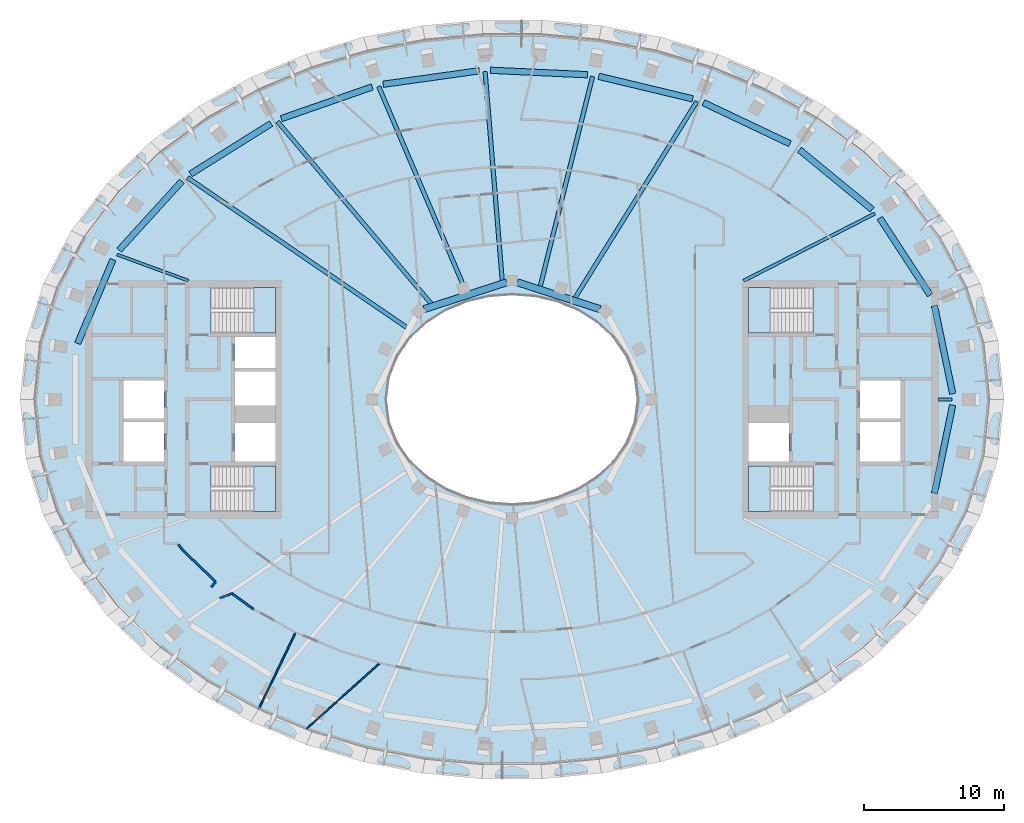
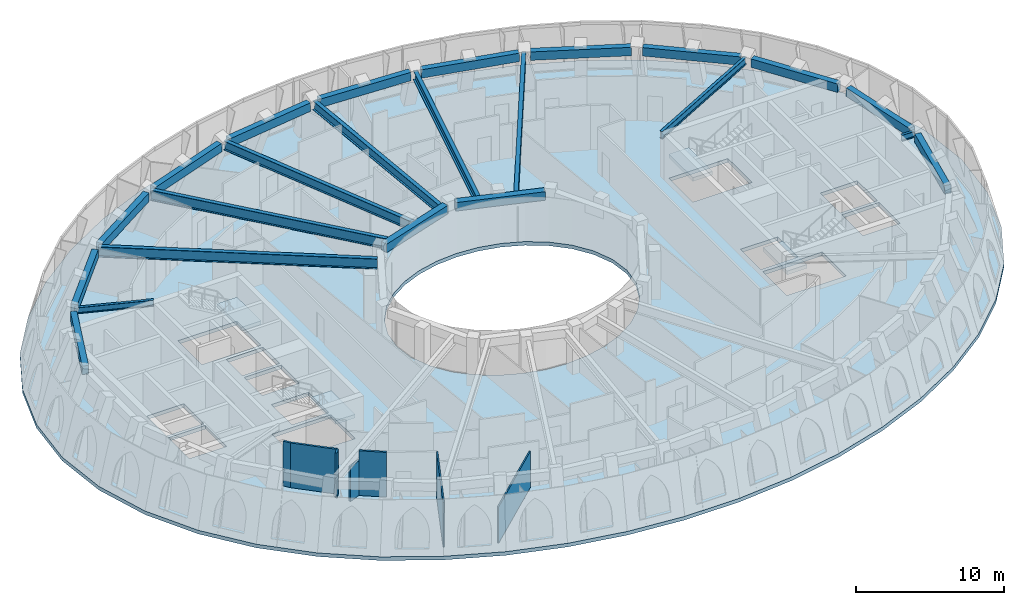
# One storey, part 2 of 14: 23 beams, 7 walls, 5 slabs, 4 elements without a shape of their own.
"""IFC4 building model written with IfcOpenShell, lengths in metres."""

from ifc_helpers import new_model, si_unit, direction, frame, frame_2d, origin, origin_2d, place, context, subcontext, project, spatial, polyline, rectangle, i_section, outline, extrude, material, layer, layer_set, material_profile, profile_set, type_object, element, aggregate, save


model = new_model("IFC4")

# Units and contexts
model_context = context("Model", 3, precision=1e-05, world=origin(), true_north=direction((0.0, 1.0)))
body_context = subcontext(model_context, "Body", "Model", "MODEL_VIEW")
ifc_project = project(units=[si_unit("LENGTHUNIT", "METRE"), si_unit("AREAUNIT", "SQUARE_METRE"), si_unit("VOLUMEUNIT", "CUBIC_METRE"), si_unit("PLANEANGLEUNIT", "RADIAN"), si_unit("MASSUNIT", "GRAM", prefix="KILO")], contexts=[model_context])

# Site, building, storey
site_placement = place(None, origin())
site = spatial("IfcSite", under=ifc_project, at=site_placement, CompositionType="ELEMENT")
building_placement = place(site_placement, origin())
building = spatial("IfcBuilding", under=site, at=building_placement, Name="Noorbagh Ring Tower", CompositionType="ELEMENT")
storey_placement = place(building_placement, frame((0.0, 0.0, 339.0)))
storey = spatial("IfcBuildingStorey", under=building, at=storey_placement, Name="L74", CompositionType="ELEMENT", Elevation=339.0)

# Beams
ifc_material_1 = material(Name="Steel S355", Category="steel")
ifc_material_profile_1 = material_profile(ifc_material_1, i_section(OverallWidth=0.199951171875, OverallDepth=0.5, WebThickness=0.01025390625, FlangeThickness=0.01611328125, FilletRadius=0.02099609375, at=origin_2d()), Name="IPE500")
ifc_profile_set_1 = profile_set([ifc_material_profile_1], Name="Steel S355")
beam_type_1 = type_object("IfcBeamType", Name="STR-RAD-IPE500", PredefinedType="BEAM", material=ifc_profile_set_1)
beam_1_placement = place(storey_placement, frame((31.489990234375, 0.0, 3.449951171875), z_axis=(-1.0, 0.0, 0.0), x_axis=(0.0, -1.0, 0.0)))
element("IfcBeam", 1, at=beam_1_placement, inside=storey, type_object=beam_type_1, Name="L74/bm/RD01", PredefinedType="BEAM", context=body_context, shape_type="SweptSolid", body=[
    extrude(i_section(OverallWidth=0.199951171875, OverallDepth=0.5, WebThickness=0.01025390625, FlangeThickness=0.01611328125, FilletRadius=0.02099609375, at=origin_2d()), origin(), (0.0, 0.0, 1.0), 1.010009765625),
])
beam_2_placement = place(storey_placement, frame((-28.2490234375, 10.36279296875, 3.449951171875), z_axis=(0.938825916559, -0.344392070752, 0.0), x_axis=(0.344392070752, 0.938825916559, 0.0)))
element("IfcBeam", 2, at=beam_2_placement, inside=storey, type_object=beam_type_1, Name="L74/bm/RD21", PredefinedType="BEAM", context=body_context, shape_type="SweptSolid", body=[
    extrude(i_section(OverallWidth=0.199951171875, OverallDepth=0.5, WebThickness=0.01025390625, FlangeThickness=0.01611328125, FilletRadius=0.02099609375, at=origin_2d()), origin(), (0.0, 0.0, 1.0), 5.4287109375),
])
ifc_material_2 = material(Name="Steel S355", Category="steel")
ifc_material_profile_2 = material_profile(ifc_material_2, i_section(OverallWidth=0.219970703125, OverallDepth=0.60009765625, WebThickness=0.011962890625, FlangeThickness=0.01904296875, FilletRadius=0.02392578125, at=origin_2d()), Name="IPE600")
ifc_profile_set_2 = profile_set([ifc_material_profile_2], Name="Steel S355")
beam_type_2 = type_object("IfcBeamType", Name="STR-RAD-IPE600", PredefinedType="BEAM", material=ifc_profile_set_2)
beam_3_placement = place(storey_placement, frame((25.946044921875, 13.293701171875, 3.39990234375), z_axis=(-0.889989222768, -0.455981560326, 0.0), x_axis=(0.455981560326, -0.889989222768, 0.0)))
element("IfcBeam", 3, at=beam_3_placement, inside=storey, type_object=beam_type_2, Name="L74/bm/RD05", PredefinedType="BEAM", context=body_context, shape_type="SweptSolid", body=[
    extrude(i_section(OverallWidth=0.219970703125, OverallDepth=0.60009765625, WebThickness=0.011962890625, FlangeThickness=0.01904296875, FilletRadius=0.02392578125, at=origin_2d()), origin(), (0.0, 0.0, 1.0), 10.53271484375),
])
ifc_material_3 = material(Name="Steel S355", Category="steel")
ifc_material_profile_3 = material_profile(ifc_material_3, i_section(OverallWidth=0.300048828125, OverallDepth=0.75, WebThickness=0.013916015625, FlangeThickness=0.02587890625, at=origin_2d()), Name="PG750x300x14x26")
ifc_profile_set_3 = profile_set([ifc_material_profile_3], Name="Steel S355")
beam_type_3 = type_object("IfcBeamType", Name="STR-RAD-PG750x300x14x26", PredefinedType="BEAM", material=ifc_profile_set_3)
beam_4_placement = place(storey_placement, frame((5.759033203125, 23.0966796875, 3.324951171875), z_axis=(-0.241941309375, -0.970290885672, 0.0), x_axis=(0.970290885672, -0.241941309375, 0.0)))
element("IfcBeam", 4, at=beam_4_placement, inside=storey, type_object=beam_type_3, Name="L74/bm/RD11", PredefinedType="BEAM", context=body_context, shape_type="SweptSolid", body=[
    extrude(i_section(OverallWidth=0.300048828125, OverallDepth=0.75, WebThickness=0.013916015625, FlangeThickness=0.02587890625, at=origin_2d()), origin(), (0.0, 0.0, 1.0), 15.46630859375),
])
beam_5_placement = place(storey_placement, frame((-1.925537109375, 23.450439453125, 3.324951171875), z_axis=(0.081833076526, -0.9966460493, 0.0), x_axis=(0.9966460493, 0.081833076526, 0.0)))
element("IfcBeam", 5, at=beam_5_placement, inside=storey, type_object=beam_type_3, Name="L74/bm/RD13", PredefinedType="BEAM", context=body_context, shape_type="SweptSolid", body=[
    extrude(i_section(OverallWidth=0.300048828125, OverallDepth=0.75, WebThickness=0.013916015625, FlangeThickness=0.02587890625, at=origin_2d()), origin(), (0.0, 0.0, 1.0), 14.982666015625),
])
beam_6_placement = place(storey_placement, frame((-9.5380859375, 22.386962890625, 3.324951171875), z_axis=(0.391958791076, -0.919982774892, 0.0), x_axis=(0.919982774892, 0.391958791076, 0.0)))
element("IfcBeam", 6, at=beam_6_placement, inside=storey, type_object=beam_type_3, Name="L74/bm/RD15", PredefinedType="BEAM", context=body_context, shape_type="SweptSolid", body=[
    extrude(i_section(OverallWidth=0.300048828125, OverallDepth=0.75, WebThickness=0.013916015625, FlangeThickness=0.02587890625, at=origin_2d()), origin(), (0.0, 0.0, 1.0), 15.983642578125),
])
ifc_material_4 = material(Name="Steel S355", Category="steel")
ifc_material_profile_4 = material_profile(ifc_material_4, i_section(OverallWidth=0.300048828125, OverallDepth=0.85009765625, WebThickness=0.013916015625, FlangeThickness=0.028076171875, at=origin_2d()), Name="PG850x300x14x28")
ifc_profile_set_4 = profile_set([ifc_material_profile_4], Name="Steel S355")
beam_type_4 = type_object("IfcBeamType", Name="STR-RAD-PG850x300x14x28", PredefinedType="BEAM", material=ifc_profile_set_4)
beam_7_placement = place(storey_placement, frame((13.222900390625, 21.3154296875, 3.27490234375), z_axis=(-0.527159378283, -0.84976643255, 0.0), x_axis=(0.84976643255, -0.527159378283, 0.0)))
element("IfcBeam", 7, at=beam_7_placement, inside=storey, type_object=beam_type_4, Name="L74/bm/RD09", PredefinedType="BEAM", context=body_context, shape_type="SweptSolid", body=[
    extrude(i_section(OverallWidth=0.300048828125, OverallDepth=0.85009765625, WebThickness=0.013916015625, FlangeThickness=0.028076171875, at=origin_2d()), origin(), (0.0, 0.0, 1.0), 16.517333984375),
])
beam_8_placement = place(storey_placement, frame((-16.76708984375, 19.875732421875, 3.27490234375), z_axis=(0.64479762158, -0.764353339238, 0.0), x_axis=(0.764353339238, 0.64479762158, 0.0)))
element("IfcBeam", 8, at=beam_8_placement, inside=storey, type_object=beam_type_4, Name="L74/bm/RD17", PredefinedType="BEAM", context=body_context, shape_type="SweptSolid", body=[
    extrude(i_section(OverallWidth=0.300048828125, OverallDepth=0.85009765625, WebThickness=0.013916015625, FlangeThickness=0.028076171875, at=origin_2d()), origin(), (0.0, 0.0, 1.0), 17.0205078125),
])
beam_9_placement = place(storey_placement, frame((-23.202880859375, 15.865478515625, 3.27490234375), z_axis=(0.825471816263, -0.564443336886, 0.0), x_axis=(0.564443336886, 0.825471816263, 0.0)))
element("IfcBeam", 9, at=beam_9_placement, inside=storey, type_object=beam_type_4, Name="L74/bm/RD19", PredefinedType="BEAM", context=body_context, shape_type="SweptSolid", body=[
    extrude(i_section(OverallWidth=0.300048828125, OverallDepth=0.85009765625, WebThickness=0.013916015625, FlangeThickness=0.028076171875, at=origin_2d()), origin(), (0.0, 0.0, 1.0), 18.955810546875),
])
ifc_material_5 = material(Name="Concrete C40/50", Category="concrete")
ifc_material_profile_5 = material_profile(ifc_material_5, rectangle(XDim=0.5, YDim=0.699951171875, at=origin_2d()), Name="RC500x700")
ifc_profile_set_5 = profile_set([ifc_material_profile_5], Name="Concrete C40/50")
beam_type_5 = type_object("IfcBeamType", Name="STR-RB-RC500x700-C40-50", PredefinedType="BEAM", material=ifc_profile_set_5)
for number, where, z_axis, x_axis, name in (
    (10, (6.286865234375, 6.462158203125, 3.35009765625), (-0.951150444931, 0.308727762126, 0.0), (-0.308727762126, -0.951150444931, 0.0), "L74/bm/RG03"),
    (11, (-0.380859375, 8.379150390625, 3.35009765625), (-0.951150444931, -0.308727762126, 0.0), (0.308727762126, -0.951150444931, 0.0), "L74/bm/RG05"),
):
    element("IfcBeam", number, at=place(storey_placement, frame(where, z_axis=z_axis, x_axis=x_axis)), inside=storey, type_object=beam_type_5, Name=name, PredefinedType="BEAM", context=body_context, shape_type="SweptSolid", body=[
        extrude(rectangle(XDim=0.5, YDim=0.699951171875, at=origin_2d()), origin(), (0.0, 0.0, 1.0), 6.209228515625),
    ])
ifc_material_6 = material(Name="Concrete C40/50", Category="concrete")
ifc_material_profile_6 = material_profile(ifc_material_6, rectangle(XDim=0.449951171875, YDim=0.699951171875, at=origin_2d()), Name="RC450x700")
ifc_profile_set_6 = profile_set([ifc_material_profile_6], Name="Concrete C40/50")
beam_type_6 = type_object("IfcBeamType", Name="STR-SB-RC450x700-C40-50", PredefinedType="BEAM", material=ifc_profile_set_6)
beam_10_placement = place(storey_placement, frame((31.52099609375, 0.405517578125, 3.35009765625), z_axis=(-0.202967667623, 0.979185439996, 0.0), x_axis=(-0.979185439996, -0.202967667623, 0.0)))
element("IfcBeam", 12, at=beam_10_placement, inside=storey, type_object=beam_type_6, Name="L74/bm/SP01", PredefinedType="BEAM", context=body_context, shape_type="SweptSolid", body=[
    extrude(rectangle(XDim=0.449951171875, YDim=0.699951171875, at=origin_2d()), origin(), (0.0, 0.0, 1.0), 6.443603515625),
])
beam_11_placement = place(storey_placement, frame((29.904052734375, 7.464599609375, 3.35009765625), z_axis=(-0.546566498774, 0.837415704664, 0.0), x_axis=(-0.837415704664, -0.546566498774, 0.0)))
element("IfcBeam", 13, at=beam_11_placement, inside=storey, type_object=beam_type_6, Name="L74/bm/SP03", PredefinedType="BEAM", context=body_context, shape_type="SweptSolid", body=[
    extrude(rectangle(XDim=0.449951171875, YDim=0.699951171875, at=origin_2d()), origin(), (0.0, 0.0, 1.0), 6.5810546875),
])
beam_12_placement = place(storey_placement, frame((25.766357421875, 13.579345703125, 3.35009765625), z_axis=(-0.772380847174, 0.635159686157, 0.0), x_axis=(-0.635159686157, -0.772380847174, 0.0)))
element("IfcBeam", 14, at=beam_12_placement, inside=storey, type_object=beam_type_6, Name="L74/bm/SP05", PredefinedType="BEAM", context=body_context, shape_type="SweptSolid", body=[
    extrude(rectangle(XDim=0.449951171875, YDim=0.699951171875, at=origin_2d()), origin(), (0.0, 0.0, 1.0), 6.73779296875),
])
beam_13_placement = place(storey_placement, frame((19.878173828125, 18.293212890625, 3.35009765625), z_axis=(-0.903440082479, 0.428714377377, 0.0), x_axis=(-0.428714377377, -0.903440082479, 0.0)))
element("IfcBeam", 15, at=beam_13_placement, inside=storey, type_object=beam_type_6, Name="L74/bm/SP07", PredefinedType="BEAM", context=body_context, shape_type="SweptSolid", body=[
    extrude(rectangle(XDim=0.449951171875, YDim=0.699951171875, at=origin_2d()), origin(), (0.0, 0.0, 1.0), 6.85009765625),
])
beam_14_placement = place(storey_placement, frame((12.92529296875, 21.499755859375, 3.35009765625), z_axis=(-0.97244591953, 0.233128577376, 0.0), x_axis=(-0.233128577376, -0.97244591953, 0.0)))
element("IfcBeam", 16, at=beam_14_placement, inside=storey, type_object=beam_type_6, Name="L74/bm/SP09", PredefinedType="BEAM", context=body_context, shape_type="SweptSolid", body=[
    extrude(rectangle(XDim=0.449951171875, YDim=0.699951171875, at=origin_2d()), origin(), (0.0, 0.0, 1.0), 6.914794921875),
])
beam_15_placement = place(storey_placement, frame((5.398681640625, 23.2255859375, 3.35009765625), z_axis=(-0.998934615126, 0.046147965318, 0.0), x_axis=(-0.046147965318, -0.998934615126, 0.0)))
element("IfcBeam", 17, at=beam_15_placement, inside=storey, type_object=beam_type_6, Name="L74/bm/SP11", PredefinedType="BEAM", context=body_context, shape_type="SweptSolid", body=[
    extrude(rectangle(XDim=0.449951171875, YDim=0.699951171875, at=origin_2d()), origin(), (0.0, 0.0, 1.0), 6.94091796875),
])
beam_16_placement = place(storey_placement, frame((-2.343994140625, 23.50830078125, 3.35009765625), z_axis=(-0.990297208371, -0.138965603991, 0.0), x_axis=(0.138965603991, -0.990297208371, 0.0)))
element("IfcBeam", 18, at=beam_16_placement, inside=storey, type_object=beam_type_6, Name="L74/bm/SP13", PredefinedType="BEAM", context=body_context, shape_type="SweptSolid", body=[
    extrude(rectangle(XDim=0.449951171875, YDim=0.699951171875, at=origin_2d()), origin(), (0.0, 0.0, 1.0), 6.9326171875),
])
beam_17_placement = place(storey_placement, frame((-9.99658203125, 22.354248046875, 3.35009765625), z_axis=(-0.944137617488, -0.329551451588, 0.0), x_axis=(0.329551451588, -0.944137617488, 0.0)))
element("IfcBeam", 19, at=beam_17_placement, inside=storey, type_object=beam_type_6, Name="L74/bm/SP15", PredefinedType="BEAM", context=body_context, shape_type="SweptSolid", body=[
    extrude(rectangle(XDim=0.449951171875, YDim=0.699951171875, at=origin_2d()), origin(), (0.0, 0.0, 1.0), 6.88818359375),
])
beam_18_placement = place(storey_placement, frame((-17.23046875, 19.7333984375, 3.35009765625), z_axis=(-0.847467416687, -0.530847414663, 0.0), x_axis=(0.530847414663, -0.847467416687, 0.0)))
element("IfcBeam", 20, at=beam_18_placement, inside=storey, type_object=beam_type_6, Name="L74/bm/SP17", PredefinedType="BEAM", context=body_context, shape_type="SweptSolid", body=[
    extrude(rectangle(XDim=0.449951171875, YDim=0.699951171875, at=origin_2d()), origin(), (0.0, 0.0, 1.0), 6.80029296875),
])
beam_19_placement = place(storey_placement, frame((-23.615478515625, 15.60400390625, 3.35009765625), z_axis=(-0.673629683488, -0.739069042461, 0.0), x_axis=(0.739069042461, -0.673629683488, 0.0)))
element("IfcBeam", 21, at=beam_19_placement, inside=storey, type_object=beam_type_6, Name="L74/bm/SP19", PredefinedType="BEAM", context=body_context, shape_type="SweptSolid", body=[
    extrude(rectangle(XDim=0.449951171875, YDim=0.699951171875, at=origin_2d()), origin(), (0.0, 0.0, 1.0), 6.6630859375),
])
beam_20_placement = place(storey_placement, frame((-28.54052734375, 9.99658203125, 3.35009765625), z_axis=(-0.388751800877, -0.921342518999, 0.0), x_axis=(0.921342518999, -0.388751800877, 0.0)))
element("IfcBeam", 22, at=beam_20_placement, inside=storey, type_object=beam_type_6, Name="L74/bm/SP21", PredefinedType="BEAM", context=body_context, shape_type="SweptSolid", body=[
    extrude(rectangle(XDim=0.449951171875, YDim=0.699951171875, at=origin_2d()), origin(), (0.0, 0.0, 1.0), 6.50244140625),
])
beam_21_placement = place(storey_placement, frame((30.213134765625, -6.715087890625, 3.35009765625), z_axis=(0.202967667623, 0.979185439996, 0.0), x_axis=(-0.979185439996, 0.202967667623, 0.0)))
element("IfcBeam", 23, at=beam_21_placement, inside=storey, type_object=beam_type_6, Name="L74/bm/SP45", PredefinedType="BEAM", context=body_context, shape_type="SweptSolid", body=[
    extrude(rectangle(XDim=0.449951171875, YDim=0.699951171875, at=origin_2d()), origin(), (0.0, 0.0, 1.0), 6.443603515625),
])

# Stair, slab
ifc_material_7 = material(Name="Concrete C40/50", Category="concrete")
stair_type = type_object("IfcStairType", Name="CORE-STAIR", PredefinedType="HALF_TURN_STAIR", material=ifc_material_7)
stair_1_placement = place(storey_placement, origin())
stair_1 = element("IfcStair", 24, at=stair_1_placement, inside=storey, type_object=stair_type, Name="L74 Exit stair ST1", PredefinedType="HALF_TURN_STAIR")
ifc_material_8 = material(Name="Concrete C40/50", Category="concrete")
ifc_layer_1 = layer(ifc_material_8, 0.300048828125)
ifc_layer_set_1 = layer_set([ifc_layer_1], Name="Concrete C40/50")
slab_type_1 = type_object("IfcSlabType", Name="CORE-STAIR-LANDING", PredefinedType="LANDING", material=ifc_layer_set_1)
slab_1_placement = place(storey_placement, frame((0.0, 0.0, 1.699951171875)))
slab_1 = element("IfcSlab", 25, at=slab_1_placement, type_object=slab_type_1, Name="ST1 landing 1", PredefinedType="LANDING", context=body_context, shape_type="SweptSolid", body=[
    extrude(outline(polyline([(-18.449951171875, 4.75), (-16.89990234375, 4.75), (-16.89990234375, 8.0), (-18.449951171875, 8.0), (-18.449951171875, 4.75)])), origin(), (0.0, 0.0, 1.0), 0.300048828125),
])
aggregate(stair_1, [slab_1])

stair_2_placement = place(storey_placement, origin())
stair_2 = element("IfcStair", 26, at=stair_2_placement, inside=storey, type_object=stair_type, Name="L74 Exit stair ST2", PredefinedType="HALF_TURN_STAIR")
slab_2_placement = place(storey_placement, frame((0.0, 0.0, 1.699951171875)))
slab_2 = element("IfcSlab", 27, at=slab_2_placement, type_object=slab_type_1, Name="ST2 landing 1", PredefinedType="LANDING", context=body_context, shape_type="SweptSolid", body=[
    extrude(outline(polyline([(-18.449951171875, -8.0), (-16.89990234375, -8.0), (-16.89990234375, -4.75), (-18.449951171875, -4.75), (-18.449951171875, -8.0)])), origin(), (0.0, 0.0, 1.0), 0.300048828125),
])
aggregate(stair_2, [slab_2])

stair_3_placement = place(storey_placement, origin())
stair_3 = element("IfcStair", 28, at=stair_3_placement, inside=storey, type_object=stair_type, Name="L74 Exit stair ST3", PredefinedType="HALF_TURN_STAIR")
slab_3_placement = place(storey_placement, frame((0.0, 0.0, 1.699951171875)))
slab_3 = element("IfcSlab", 29, at=slab_3_placement, type_object=slab_type_1, Name="ST3 landing 1", PredefinedType="LANDING", context=body_context, shape_type="SweptSolid", body=[
    extrude(outline(polyline([(18.449951171875, 8.0), (16.89990234375, 8.0), (16.89990234375, 4.75), (18.449951171875, 4.75), (18.449951171875, 8.0)])), origin(), (0.0, 0.0, 1.0), 0.300048828125),
])
aggregate(stair_3, [slab_3])

stair_4_placement = place(storey_placement, origin())
stair_4 = element("IfcStair", 30, at=stair_4_placement, inside=storey, type_object=stair_type, Name="L74 Exit stair ST4", PredefinedType="HALF_TURN_STAIR")
slab_4_placement = place(storey_placement, frame((0.0, 0.0, 1.699951171875)))
slab_4 = element("IfcSlab", 31, at=slab_4_placement, type_object=slab_type_1, Name="ST4 landing 1", PredefinedType="LANDING", context=body_context, shape_type="SweptSolid", body=[
    extrude(outline(polyline([(18.449951171875, -4.75), (16.89990234375, -4.75), (16.89990234375, -8.0), (18.449951171875, -8.0), (18.449951171875, -4.75)])), origin(), (0.0, 0.0, 1.0), 0.300048828125),
])
aggregate(stair_4, [slab_4])

# Slab
ifc_material_9 = material(Name="Concrete C40/50", Category="concrete")
ifc_layer_2 = layer(ifc_material_9, 0.300048828125)
ifc_layer_set_2 = layer_set([ifc_layer_2], Name="Concrete C40/50")
slab_type_2 = type_object("IfcSlabType", Name="STR-FLOOR-DECK-300", PredefinedType="FLOOR", material=ifc_layer_set_2)
slab_5_placement = place(storey_placement, frame((0.0, 0.0, -0.300048828125)))
element("IfcSlab", 32, at=slab_5_placement, inside=storey, type_object=slab_type_2, Name="L74/slab/1", PredefinedType="FLOOR", context=body_context, shape_type="SweptSolid", body=[
    extrude(outline(polyline([(35.19189453125, 0.0), (34.762939453125, 4.23291015625), (33.511474609375, 8.302001953125), (31.531005859375, 12.075927734375), (28.94287109375, 15.468505859375), (25.868896484375, 18.435302734375), (22.417724609375, 20.9609375), (18.67919921875, 23.045166015625), (14.72705078125, 24.6962890625), (10.621337890625, 25.923828125), (6.412353515625, 26.736572265625), (2.14404296875, 27.141357421875), (-2.14404296875, 27.141357421875), (-6.412353515625, 26.736572265625), (-10.621337890625, 25.923828125), (-14.72705078125, 24.6962890625), (-18.67919921875, 23.045166015625), (-22.417724609375, 20.9609375), (-25.868896484375, 18.435302734375), (-28.94287109375, 15.468505859375), (-31.531005859375, 12.075927734375), (-33.511474609375, 8.302001953125), (-34.762939453125, 4.23291015625), (-35.19189453125, 0.0), (-34.762939453125, -4.23291015625), (-33.511474609375, -8.302001953125), (-31.531005859375, -12.075927734375), (-28.94287109375, -15.468505859375), (-25.868896484375, -18.435302734375), (-22.417724609375, -20.9609375), (-18.67919921875, -23.045166015625), (-14.72705078125, -24.6962890625), (-10.621337890625, -25.923828125), (-6.412353515625, -26.736572265625), (-2.14404296875, -27.141357421875), (2.14404296875, -27.141357421875), (6.412353515625, -26.736572265625), (10.621337890625, -25.923828125), (14.72705078125, -24.6962890625), (18.67919921875, -23.045166015625), (22.417724609375, -20.9609375), (25.868896484375, -18.435302734375), (28.94287109375, -15.468505859375), (31.531005859375, -12.075927734375), (33.511474609375, -8.302001953125), (34.762939453125, -4.23291015625), (35.19189453125, 0.0)]), holes=[polyline([(24.89990234375, -1.60009765625), (27.800048828125, -1.60009765625), (27.800048828125, -4.449951171875), (24.89990234375, -4.449951171875), (24.89990234375, -1.60009765625)]), polyline([(24.89990234375, 1.35009765625), (27.800048828125, 1.35009765625), (27.800048828125, -1.35009765625), (24.89990234375, -1.35009765625), (24.89990234375, 1.35009765625)]), polyline([(21.529541015625, -8.0), (16.89990234375, -8.0), (16.89990234375, -4.75), (21.529541015625, -4.75), (21.529541015625, -8.0)]), polyline([(21.529541015625, 4.75), (16.89990234375, 4.75), (16.89990234375, 8.0), (21.529541015625, 8.0), (21.529541015625, 4.75)]), polyline([(16.89990234375, -1.699951171875), (19.800048828125, -1.699951171875), (19.800048828125, -4.449951171875), (16.89990234375, -4.449951171875), (16.89990234375, -1.699951171875)]), polyline([(4.697509765625, -6.3974609375), (3.196533203125, -7.010986328125), (1.6171875, -7.3779296875), (0.0, -7.5), (-1.6171875, -7.3779296875), (-3.196533203125, -7.010986328125), (-4.697509765625, -6.3974609375), (-6.071044921875, -5.53662109375), (-7.2587890625, -4.43408203125), (-8.1904296875, -3.10888671875), (-8.79150390625, -1.605224609375), (-9.0, 0.0), (-8.79150390625, 1.605224609375), (-8.1904296875, 3.10888671875), (-7.2587890625, 4.43408203125), (-6.071044921875, 5.53662109375), (-4.697509765625, 6.3974609375), (-3.196533203125, 7.010986328125), (-1.6171875, 7.3779296875), (0.0, 7.5), (1.6171875, 7.3779296875), (3.196533203125, 7.010986328125), (4.697509765625, 6.3974609375), (6.071044921875, 5.53662109375), (7.2587890625, 4.43408203125), (8.1904296875, 3.10888671875), (8.79150390625, 1.605224609375), (9.0, 0.0), (8.79150390625, -1.605224609375), (8.1904296875, -3.10888671875), (7.2587890625, -4.43408203125), (6.071044921875, -5.53662109375), (4.697509765625, -6.3974609375)]), polyline([(-21.529541015625, -8.0), (-21.529541015625, -4.75), (-16.89990234375, -4.75), (-16.89990234375, -8.0), (-21.529541015625, -8.0)]), polyline([(-21.529541015625, 4.75), (-21.529541015625, 8.0), (-16.89990234375, 8.0), (-16.89990234375, 4.75), (-21.529541015625, 4.75)]), polyline([(-16.89990234375, -4.449951171875), (-19.800048828125, -4.449951171875), (-19.800048828125, -1.699951171875), (-16.89990234375, -1.699951171875), (-16.89990234375, -4.449951171875)]), polyline([(-16.89990234375, -0.449951171875), (-19.800048828125, -0.449951171875), (-19.800048828125, 2.0), (-16.89990234375, 2.0), (-16.89990234375, -0.449951171875)]), polyline([(-16.89990234375, 2.25), (-19.800048828125, 2.25), (-19.800048828125, 4.449951171875), (-16.89990234375, 4.449951171875), (-16.89990234375, 2.25)]), polyline([(-24.89990234375, -4.449951171875), (-27.800048828125, -4.449951171875), (-27.800048828125, -1.60009765625), (-24.89990234375, -1.60009765625), (-24.89990234375, -4.449951171875)]), polyline([(-24.89990234375, 1.35009765625), (-24.89990234375, -1.35009765625), (-27.800048828125, -1.35009765625), (-27.800048828125, 1.35009765625), (-24.89990234375, 1.35009765625)])]), origin(), (0.0, 0.0, 1.0), 0.300048828125),
])

# Walls
ifc_material_10 = material(Name="Gypsum board on steel studs", Category="steel")
ifc_layer_3 = layer(ifc_material_10, 0.14990234375)
ifc_layer_set_3 = layer_set([ifc_layer_3], Name="Gypsum board on steel studs")
wall_type_1 = type_object("IfcWallType", Name="CORRIDOR PARTITION 150 EI 30", PredefinedType="PARTITIONING", material=ifc_layer_set_3)
wall_1_placement = place(storey_placement, frame((-23.862060546875, -10.375, 0.0), z_axis=(0.0, 0.0, 1.0), x_axis=(0.610047000557, -0.792365229621, 0.0)))
element("IfcWall", 33, at=wall_1_placement, inside=storey, type_object=wall_type_1, Name="L74/wall/P06", PredefinedType="PARTITIONING", context=body_context, shape_type="SweptSolid", body=[
    extrude(rectangle(XDim=0.5263671875, YDim=0.14990234375, at=frame_2d((0.26318359375, 0.0))), origin(), (0.0, 0.0, 1.0), 3.699951171875),
])
wall_2_placement = place(storey_placement, frame((-23.541015625, -10.7919921875, 0.0), z_axis=(0.0, 0.0, 1.0), x_axis=(0.722572940002, -0.691294688521, 0.0)))
element("IfcWall", 34, at=wall_2_placement, inside=storey, type_object=wall_type_1, Name="L74/wall/P08", PredefinedType="PARTITIONING", context=body_context, shape_type="SweptSolid", body=[
    extrude(rectangle(XDim=3.2314453125, YDim=0.14990234375, at=frame_2d((1.61572265625, 0.0))), origin(), (0.0, 0.0, 1.0), 3.699951171875),
])
wall_3_placement = place(storey_placement, frame((-21.511962890625, -13.424072265625, 0.0), z_axis=(0.0, 0.0, 1.0), x_axis=(0.640523059308, 0.767938936697, 0.0)))
element("IfcWall", 35, at=wall_3_placement, inside=storey, type_object=wall_type_1, Name="L74/wall/P10", PredefinedType="PARTITIONING", context=body_context, shape_type="SweptSolid", body=[
    extrude(rectangle(XDim=0.496337890625, YDim=0.14990234375, at=frame_2d((0.248046875, 0.0))), origin(), (0.0, 0.0, 1.0), 3.699951171875),
])
wall_4_placement = place(storey_placement, frame((-20.908935546875, -14.22412109375, 0.0), z_axis=(0.0, 0.0, 1.0), x_axis=(0.923119524634, 0.384513124925, 0.0)))
element("IfcWall", 36, at=wall_4_placement, inside=storey, type_object=wall_type_1, Name="L74/wall/P13", PredefinedType="PARTITIONING", context=body_context, shape_type="SweptSolid", body=[
    extrude(rectangle(XDim=1.01708984375, YDim=0.14990234375, at=frame_2d((0.508544921875, 0.0))), origin(), (0.0, 0.0, 1.0), 2.85009765625),
])
wall_5_placement = place(storey_placement, frame((-19.986083984375, -13.9140625, 0.0), z_axis=(0.0, 0.0, 1.0), x_axis=(0.809399822504, -0.587257973408, 0.0)))
element("IfcWall", 37, at=wall_5_placement, inside=storey, type_object=wall_type_1, Name="L74/wall/P15", PredefinedType="PARTITIONING", context=body_context, shape_type="SweptSolid", body=[
    extrude(rectangle(XDim=1.859619140625, YDim=0.14990234375, at=frame_2d((0.9296875, 0.0))), origin(), (0.0, 0.0, 1.0), 3.699951171875),
])
ifc_material_11 = material(Name="Gypsum board on steel studs", Category="steel")
ifc_layer_4 = layer(ifc_material_11, 0.10009765625)
ifc_layer_set_4 = layer_set([ifc_layer_4], Name="Gypsum board on steel studs")
wall_type_2 = type_object("IfcWallType", Name="PARTITION 100 GYPSUM", PredefinedType="PARTITIONING", material=ifc_layer_set_4)
wall_6_placement = place(storey_placement, frame((-18.10888671875, -22.123046875, 0.0), z_axis=(0.0, 0.0, 1.0), x_axis=(0.433810769953, 0.90100400436, 0.0)))
element("IfcWall", 38, at=wall_6_placement, inside=storey, type_object=wall_type_2, Name="L74/wall/P20", PredefinedType="PARTITIONING", context=body_context, shape_type="SweptSolid", body=[
    extrude(rectangle(XDim=6.055419921875, YDim=0.10009765625, at=frame_2d((3.02783203125, 0.0))), origin(), (0.0, 0.0, 1.0), 3.699951171875),
])
wall_7_placement = place(storey_placement, frame((-14.68408203125, -23.541015625, 0.0), z_axis=(0.0, 0.0, 1.0), x_axis=(0.743924032174, 0.668264195026, 0.0)))
element("IfcWall", 39, at=wall_7_placement, inside=storey, type_object=wall_type_2, Name="L74/wall/P32", PredefinedType="PARTITIONING", context=body_context, shape_type="SweptSolid", body=[
    extrude(rectangle(XDim=6.953857421875, YDim=0.10009765625, at=frame_2d((3.47705078125, 0.0))), origin(), (0.0, 0.0, 1.0), 3.0),
])

save(model, "model.ifc")
